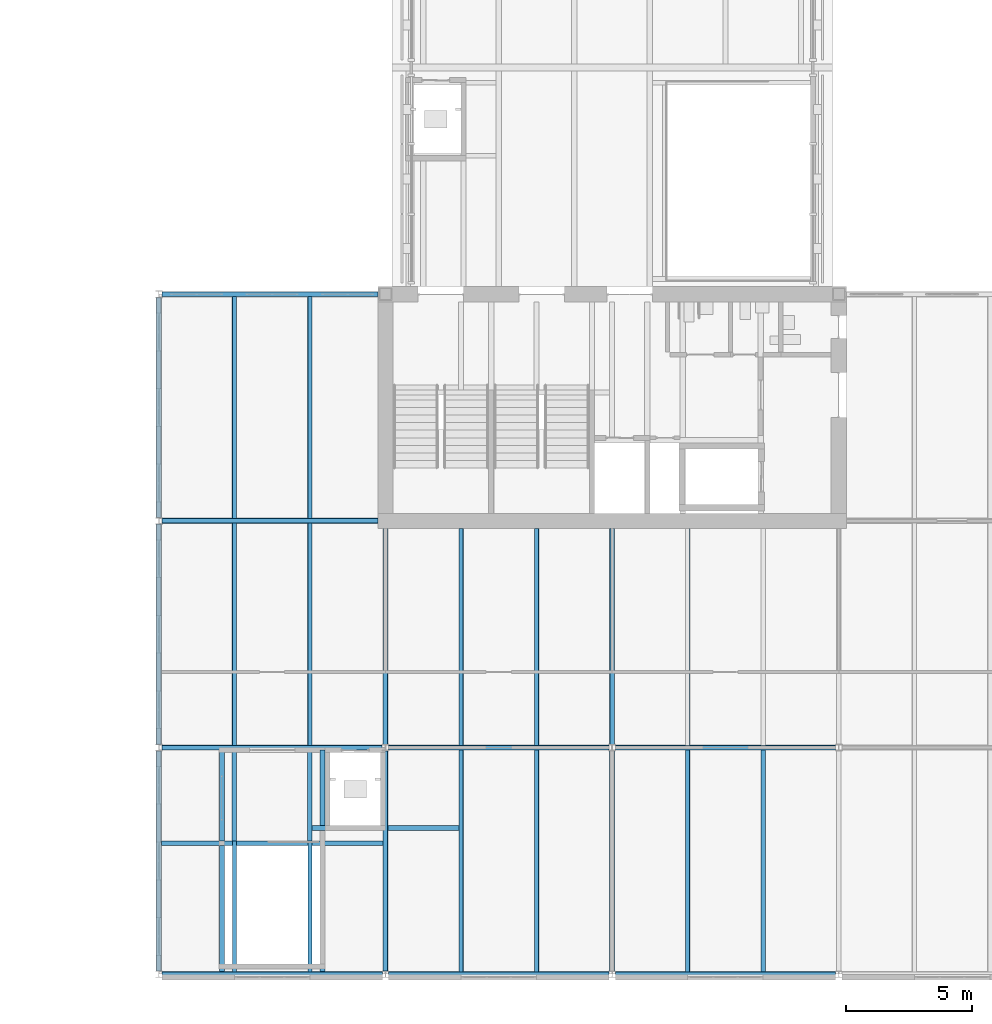
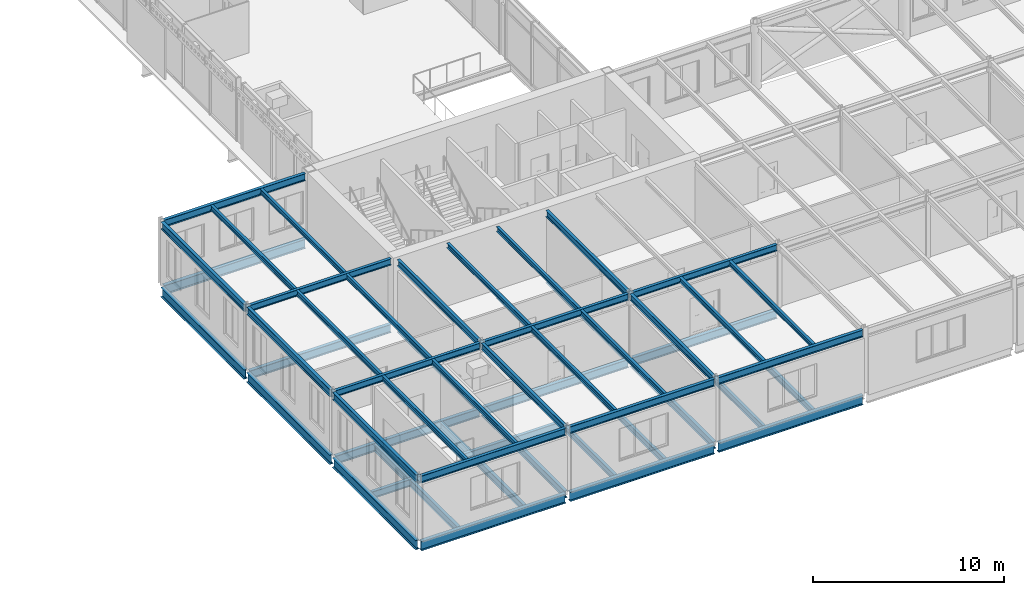
# One storey, part 22 of 123: 62 beams.
"""IFC4 building model written with IfcOpenShell, lengths in metres."""

import ifcopenshell
import ifcopenshell.guid

model = None  # the IFC model being written
_history = None  # IfcOwnerHistory: only IFC2X3 demands one
_inside = {}  # id of a spatial element -> (the spatial element, [elements in it])
_under = {}  # id of a project, library or spatial element -> (it, [spatial elements below it])
_declared = {}  # id of a project -> (the project, [libraries it declares])
_typed = {}  # id of a type object -> (the type object, [elements of that type])
_made_of = {}  # id of a material, layer set ... -> (it, [elements and type objects made of it])


def new_model(schema):
    """Start an empty IFC model of exactly this schema.

    Asked for "IFC4X3", IfcOpenShell would pick the latest addendum, in which some entities
    have other attributes; the version numbers below select the first issue.
    IFC2X3 requires an IfcOwnerHistory on every rooted entity: one is made here for all.
    """
    global model, _history
    if schema == "IFC4X3":
        model = ifcopenshell.file(schema_version=(4, 3, 0, 0))
    else:
        model = ifcopenshell.file(schema=schema)
    _inside.clear()
    _under.clear()
    _declared.clear()
    _typed.clear()
    _made_of.clear()
    _history = None
    if model.schema == "IFC2X3":
        org = make("IfcOrganization", Name="unknown")
        user = make(
            "IfcPersonAndOrganization",
            ThePerson=make("IfcPerson", FamilyName="unknown"),
            TheOrganization=org,
        )
        app = make(
            "IfcApplication",
            ApplicationDeveloper=org,
            Version="unknown",
            ApplicationFullName="unknown",
            ApplicationIdentifier="unknown",
        )
        _history = make(
            "IfcOwnerHistory",
            OwningUser=user,
            OwningApplication=app,
            ChangeAction="ADDED",
            CreationDate=0,
        )
    return model


def make(cls, **values):
    """One entity of the class cls with the attributes given. An attribute that is None is left unset."""
    return model.create_entity(
        cls, **{name: value for name, value in values.items() if value is not None}
    )


def rooted(cls, **values):
    """An entity with a GlobalId (a new one), such as an element, a storey or a relation."""
    return make(cls, GlobalId=ifcopenshell.guid.new(), OwnerHistory=_history, **values)


def si_unit(unit_type, name, prefix=None):
    """IfcSIUnit, for example si_unit("LENGTHUNIT", "METRE", prefix="MILLI")."""
    return make("IfcSIUnit", UnitType=unit_type, Prefix=prefix, Name=name)


def assignment(units):
    """IfcUnitAssignment: the units of a project."""
    return None if units is None else make("IfcUnitAssignment", Units=units)


def point(xyz):
    """IfcCartesianPoint."""
    return None if xyz is None else make("IfcCartesianPoint", Coordinates=xyz)


def direction(xyz):
    """IfcDirection."""
    return None if xyz is None else make("IfcDirection", DirectionRatios=xyz)


def frame(location, z_axis=None, x_axis=None):
    """IfcAxis2Placement3D, a coordinate frame: its origin and axes. An axis left out is left unset."""
    return make(
        "IfcAxis2Placement3D",
        Location=point(location),
        Axis=direction(z_axis),
        RefDirection=direction(x_axis),
    )


def frame_2d(location, x_axis=None):
    """IfcAxis2Placement2D, a coordinate frame in the plane: its origin and x axis."""
    return make(
        "IfcAxis2Placement2D", Location=point(location), RefDirection=direction(x_axis)
    )


def origin():
    """The frame at (0, 0, 0) with its axes left unset."""
    return frame((0.0, 0.0, 0.0))


def origin_2d():
    """The frame at (0, 0) in the plane with its x axis left unset."""
    return frame_2d((0.0, 0.0))


def place(relative_to, where):
    """IfcLocalPlacement: puts the frame where relative to a parent placement (None: the world)."""
    return make(
        "IfcLocalPlacement", PlacementRelTo=relative_to, RelativePlacement=where
    )


def context(
    kind, dimensions, precision=None, world=None, true_north=None, identifier=None
):
    """IfcGeometricRepresentationContext, for example the 3D "Model" context."""
    return make(
        "IfcGeometricRepresentationContext",
        ContextIdentifier=identifier,
        ContextType=kind,
        CoordinateSpaceDimension=dimensions,
        Precision=precision,
        WorldCoordinateSystem=world,
        TrueNorth=true_north,
    )


def subcontext(parent, identifier, kind, view, scale=None):
    """IfcGeometricRepresentationSubContext, for example "Body" below "Model"."""
    return make(
        "IfcGeometricRepresentationSubContext",
        ContextIdentifier=identifier,
        ContextType=kind,
        ParentContext=parent,
        TargetScale=scale,
        TargetView=view,
    )


def project(units=None, contexts=None):
    """IfcProject with its units and contexts."""
    return rooted(
        "IfcProject",
        Name="project",
        RepresentationContexts=contexts,
        UnitsInContext=assignment(units),
    )


def spatial(cls, under=None, at=None, **own):
    """A site, building, storey or space (cls), placed at a placement, below another one or the project."""
    s = rooted(cls, ObjectPlacement=at, **own)
    if under is not None:
        _under.setdefault(under.id(), (under, []))[1].append(s)
    return s


def profile(cls, at=None, kind="AREA", **sizes):
    """A parametric profile (cls). Its sizes go by their IFC names, for example OverallWidth=200.0."""
    return make(cls, ProfileType=kind, Position=at, **sizes)


def i_section(**sizes):
    """IfcIShapeProfileDef."""
    return profile("IfcIShapeProfileDef", **sizes)


def extrude(swept, where, along, depth):
    """IfcExtrudedAreaSolid: the profile swept, set in the frame where, extruded along a direction by depth."""
    return make(
        "IfcExtrudedAreaSolid",
        SweptArea=swept,
        Position=where,
        ExtrudedDirection=direction(along),
        Depth=depth,
    )


def shape(context_of_items, identifier, shape_type, items):
    """IfcShapeRepresentation: the items that make up one representation, for example the "Body"."""
    return make(
        "IfcShapeRepresentation",
        ContextOfItems=context_of_items,
        RepresentationIdentifier=identifier,
        RepresentationType=shape_type,
        Items=items,
    )


def material(Name=None, Category=None):
    """IfcMaterial."""
    return make("IfcMaterial", Name=Name, Category=Category)


def material_profile(
    of_material, cross_section, Name=None, Category=None, Priority=None
):
    """IfcMaterialProfile: a cross section and its material."""
    return make(
        "IfcMaterialProfile",
        Name=Name,
        Material=of_material,
        Profile=cross_section,
        Priority=Priority,
        Category=Category,
    )


def profile_set(profiles, Name=None, composite=None):
    """IfcMaterialProfileSet."""
    return make(
        "IfcMaterialProfileSet",
        Name=Name,
        MaterialProfiles=profiles,
        CompositeProfile=composite,
    )


def made_of(thing, what):
    """Note that an element or type object is made of a material, layer set ...; save() writes the relation."""
    if what is not None:
        _made_of.setdefault(what.id(), (what, []))[1].append(thing)
    return thing


def type_object(cls, material=None, **own):
    """A type object (cls), such as IfcWallType, which elements share."""
    return made_of(rooted(cls, **own), material)


def element(
    cls,
    number,
    at=None,
    inside=None,
    cuts=None,
    type_object=None,
    material=None,
    context=None,
    identifier="Body",
    shape_type=None,
    held_by="IfcProductDefinitionShape",
    body=None,
    shapes=None,
    **own,
):
    """One element of the class cls, such as IfcWall. Its Tag is "e" and its number.

    at: its placement. inside: the storey or other place that contains it. cuts: it is an
    opening in that element (IfcRelVoidsElement). A single representation is given by context,
    identifier, shape_type and body (its items); several are given by shapes. held_by: the class
    of the entity that holds the representations. save() writes the other relations.
    """
    e = rooted(cls, Tag="e%d" % number, ObjectPlacement=at, **own)
    if body is not None:
        shapes = [shape(context, identifier, shape_type, body)]
    if shapes is not None:
        e.Representation = make(held_by, Representations=shapes)
    if inside is not None:
        _inside.setdefault(inside.id(), (inside, []))[1].append(e)
    if cuts is not None:
        rooted(
            "IfcRelVoidsElement", RelatingBuildingElement=cuts, RelatedOpeningElement=e
        )
    if type_object is not None:
        _typed.setdefault(type_object.id(), (type_object, []))[1].append(e)
    return made_of(e, material)


def aggregate(whole, parts):
    """IfcRelAggregates: a whole, such as a stair, and the parts it consists of."""
    return rooted("IfcRelAggregates", RelatingObject=whole, RelatedObjects=parts)


def save(model, path):
    """Write the relations noted so far, then the file.

    IfcRelAggregates (storeys below a building ...), IfcRelContainedInSpatialStructure (elements
    in a storey), IfcRelDefinesByType, IfcRelAssociatesMaterial and IfcRelDeclares: one each for
    every whole, place, type object, material and project.
    """
    for whole, parts in _under.values():
        aggregate(whole, parts)
    for where, things in _inside.values():
        rooted(
            "IfcRelContainedInSpatialStructure",
            RelatedElements=things,
            RelatingStructure=where,
        )
    for kind, things in _typed.values():
        rooted("IfcRelDefinesByType", RelatedObjects=things, RelatingType=kind)
    for what, things in _made_of.values():
        rooted("IfcRelAssociatesMaterial", RelatedObjects=things, RelatingMaterial=what)
    for by, libraries in _declared.values():
        rooted("IfcRelDeclares", RelatingContext=by, RelatedDefinitions=libraries)
    model.write(path)


model = new_model("IFC4")

# Units and contexts
model_context = context("Model", 3, precision=1e-05, world=origin(), true_north=direction((0.0, 1.0)))
body_context = subcontext(model_context, "Body", "Model", "MODEL_VIEW")
ifc_project = project(units=[si_unit("LENGTHUNIT", "METRE"), si_unit("AREAUNIT", "SQUARE_METRE"), si_unit("VOLUMEUNIT", "CUBIC_METRE"), si_unit("PLANEANGLEUNIT", "RADIAN"), si_unit("MASSUNIT", "GRAM", prefix="KILO")], contexts=[model_context])

# Site, building, storey
site_placement = place(None, origin())
site = spatial("IfcSite", under=ifc_project, at=site_placement, CompositionType="ELEMENT")
building_placement = place(site_placement, origin())
building = spatial("IfcBuilding", under=site, at=building_placement, Name="Baradari Gate Terminus", CompositionType="ELEMENT")
storey_placement = place(building_placement, frame((0.0, 0.0, 7.5)))
storey = spatial("IfcBuildingStorey", under=building, at=storey_placement, Name="L01", CompositionType="ELEMENT", Elevation=7.5)

# Beams
ifc_material_1 = material(Name="Steel S355", Category="steel")
ifc_material_profile_1 = material_profile(ifc_material_1, i_section(OverallWidth=0.19140625, OverallDepth=0.4599609375, WebThickness=0.010009765625, FlangeThickness=0.01611328125, FilletRadius=0.01025390625, at=origin_2d()), Name="UB 457x191x82")
ifc_profile_set_1 = profile_set([ifc_material_profile_1], Name="Steel S355")
beam_type_1 = type_object("IfcBeamType", Name="South wing cross girder B18 UB 457x191x82", PredefinedType="BEAM", material=ifc_profile_set_1)
beam_1_placement = place(storey_placement, frame((72.0, 9.127197265625, -0.360107421875), z_axis=(0.0, 1.0, 0.0), x_axis=(-1.0, 0.0, 0.0)))
element("IfcBeam", 1, at=beam_1_placement, inside=storey, type_object=beam_type_1, Name="South wing cross girder B18 9:9.127-17.87 L01", PredefinedType="BEAM", context=body_context, shape_type="SweptSolid", body=[
    extrude(i_section(OverallWidth=0.19140625, OverallDepth=0.4599609375, WebThickness=0.010009765625, FlangeThickness=0.01611328125, FilletRadius=0.01025390625, at=origin_2d()), origin(), (0.0, 0.0, 1.0), 8.74267578125),
])
beam_2_placement = place(storey_placement, frame((72.0, 18.130126953125, -0.360107421875), z_axis=(0.0, 1.0, 0.0), x_axis=(-1.0, 0.0, 0.0)))
element("IfcBeam", 2, at=beam_2_placement, inside=storey, type_object=beam_type_1, Name="South wing cross girder B18 9:18.13-26.7 L01", PredefinedType="BEAM", context=body_context, shape_type="SweptSolid", body=[
    extrude(i_section(OverallWidth=0.19140625, OverallDepth=0.4599609375, WebThickness=0.010009765625, FlangeThickness=0.01611328125, FilletRadius=0.01025390625, at=origin_2d()), origin(), (0.0, 0.0, 1.0), 8.56982421875),
])
beam_3_placement = place(storey_placement, frame((81.0, 9.127197265625, -0.360107421875), z_axis=(0.0, 1.0, 0.0), x_axis=(-1.0, 0.0, 0.0)))
element("IfcBeam", 3, at=beam_3_placement, inside=storey, type_object=beam_type_1, Name="South wing cross girder B18 10:9.127-17.87 L01", PredefinedType="BEAM", context=body_context, shape_type="SweptSolid", body=[
    extrude(i_section(OverallWidth=0.19140625, OverallDepth=0.4599609375, WebThickness=0.010009765625, FlangeThickness=0.01611328125, FilletRadius=0.01025390625, at=origin_2d()), origin(), (0.0, 0.0, 1.0), 8.74267578125),
])
beam_4_placement = place(storey_placement, frame((81.0, 18.130126953125, -0.360107421875), z_axis=(0.0, 1.0, 0.0), x_axis=(-1.0, 0.0, 0.0)))
element("IfcBeam", 4, at=beam_4_placement, inside=storey, type_object=beam_type_1, Name="South wing cross girder B18 10:18.13-26.7 L01", PredefinedType="BEAM", context=body_context, shape_type="SweptSolid", body=[
    extrude(i_section(OverallWidth=0.19140625, OverallDepth=0.4599609375, WebThickness=0.010009765625, FlangeThickness=0.01611328125, FilletRadius=0.01025390625, at=origin_2d()), origin(), (0.0, 0.0, 1.0), 8.56982421875),
])
ifc_material_2 = material(Name="Steel S355", Category="steel")
ifc_material_profile_2 = material_profile(ifc_material_2, i_section(OverallWidth=0.2275390625, OverallDepth=0.6025390625, WebThickness=0.010498046875, FlangeThickness=0.014892578125, FilletRadius=0.0126953125, at=origin_2d()), Name="UB 610x229x101")
ifc_profile_set_2 = profile_set([ifc_material_profile_2], Name="Steel S355")
beam_type_2 = type_object("IfcBeamType", Name="South wing edge girder B14 UB 610x229x101", PredefinedType="BEAM", material=ifc_profile_set_2)
for number, where, z_axis, x_axis, name in (
    (5, (63.127197265625, 9.0, -0.431396484375), (1.0, 0.0, 0.0), (0.0, 1.0, 0.0), "South wing edge girder B14 B:63.127-71.873 L01"),
    (6, (72.127197265625, 9.0, -0.431396484375), (1.0, 0.0, 0.0), (0.0, 1.0, 0.0), "South wing edge girder B14 B:72.127-80.873 L01"),
    (7, (81.127197265625, 9.0, -0.431396484375), (1.0, 0.0, 0.0), (0.0, 1.0, 0.0), "South wing edge girder B14 B:81.127-89.873 L01"),
):
    element("IfcBeam", number, at=place(storey_placement, frame(where, z_axis=z_axis, x_axis=x_axis)), inside=storey, type_object=beam_type_2, Name=name, PredefinedType="BEAM", context=body_context, shape_type="SweptSolid", body=[
        extrude(i_section(OverallWidth=0.2275390625, OverallDepth=0.6025390625, WebThickness=0.010498046875, FlangeThickness=0.014892578125, FilletRadius=0.0126953125, at=origin_2d()), origin(), (0.0, 0.0, 1.0), 8.74560546875),
    ])
beam_5_placement = place(storey_placement, frame((63.128173828125, 36.0, -0.431396484375), z_axis=(1.0, 0.0, 0.0), x_axis=(0.0, 1.0, 0.0)))
element("IfcBeam", 8, at=beam_5_placement, inside=storey, type_object=beam_type_2, Name="South wing edge girder B14 E:63.128-71.7 L01", PredefinedType="BEAM", context=body_context, shape_type="SweptSolid", body=[
    extrude(i_section(OverallWidth=0.2275390625, OverallDepth=0.6025390625, WebThickness=0.010498046875, FlangeThickness=0.014892578125, FilletRadius=0.0126953125, at=origin_2d()), origin(), (0.0, 0.0, 1.0), 8.57177734375),
])
beam_6_placement = place(storey_placement, frame((63.0, 9.127197265625, -0.431396484375), z_axis=(0.0, 1.0, 0.0), x_axis=(-1.0, 0.0, 0.0)))
element("IfcBeam", 9, at=beam_6_placement, inside=storey, type_object=beam_type_2, Name="South wing edge girder B14 8:9.127-17.87 L01", PredefinedType="BEAM", context=body_context, shape_type="SweptSolid", body=[
    extrude(i_section(OverallWidth=0.2275390625, OverallDepth=0.6025390625, WebThickness=0.010498046875, FlangeThickness=0.014892578125, FilletRadius=0.0126953125, at=origin_2d()), origin(), (0.0, 0.0, 1.0), 8.74267578125),
])
for number, where, z_axis, x_axis, name in (
    (10, (63.0, 18.130126953125, -0.431396484375), (0.0, 1.0, 0.0), (-1.0, 0.0, 0.0), "South wing edge girder B14 8:18.13-26.87 L01"),
    (11, (63.0, 27.130126953125, -0.431396484375), (0.0, 1.0, 0.0), (-1.0, 0.0, 0.0), "South wing edge girder B14 8:27.13-35.87 L01"),
):
    element("IfcBeam", number, at=place(storey_placement, frame(where, z_axis=z_axis, x_axis=x_axis)), inside=storey, type_object=beam_type_2, Name=name, PredefinedType="BEAM", context=body_context, shape_type="SweptSolid", body=[
        extrude(i_section(OverallWidth=0.2275390625, OverallDepth=0.6025390625, WebThickness=0.010498046875, FlangeThickness=0.014892578125, FilletRadius=0.0126953125, at=origin_2d()), origin(), (0.0, 0.0, 1.0), 8.73974609375),
    ])
ifc_material_3 = material(Name="Steel S355", Category="steel")
ifc_material_profile_3 = material_profile(ifc_material_3, i_section(OverallWidth=0.210693359375, OverallDepth=0.53955078125, WebThickness=0.01171875, FlangeThickness=0.018798828125, FilletRadius=0.0126953125, at=origin_2d()), Name="UB 533x210x109")
ifc_profile_set_3 = profile_set([ifc_material_profile_3], Name="Steel S355")
beam_type_3 = type_object("IfcBeamType", Name="South wing girder B16 UB 533x210x109", PredefinedType="BEAM", material=ifc_profile_set_3)
for number, where, z_axis, x_axis, name in (
    (12, (63.128173828125, 18.0, -0.399658203125), (1.0, 0.0, 0.0), (0.0, 1.0, 0.0), "South wing girder B16 C:63.128-71.872 L01"),
    (13, (72.128173828125, 18.0, -0.399658203125), (1.0, 0.0, 0.0), (0.0, 1.0, 0.0), "South wing girder B16 C:72.128-80.872 L01"),
    (14, (81.128173828125, 18.0, -0.399658203125), (1.0, 0.0, 0.0), (0.0, 1.0, 0.0), "South wing girder B16 C:81.128-89.872 L01"),
):
    element("IfcBeam", number, at=place(storey_placement, frame(where, z_axis=z_axis, x_axis=x_axis)), inside=storey, type_object=beam_type_3, Name=name, PredefinedType="BEAM", context=body_context, shape_type="SweptSolid", body=[
        extrude(i_section(OverallWidth=0.210693359375, OverallDepth=0.53955078125, WebThickness=0.01171875, FlangeThickness=0.018798828125, FilletRadius=0.0126953125, at=origin_2d()), origin(), (0.0, 0.0, 1.0), 8.74365234375),
    ])
beam_7_placement = place(storey_placement, frame((63.128173828125, 27.0, -0.399658203125), z_axis=(1.0, 0.0, 0.0), x_axis=(0.0, 1.0, 0.0)))
element("IfcBeam", 15, at=beam_7_placement, inside=storey, type_object=beam_type_3, Name="South wing girder B16 D:63.128-71.7 L01", PredefinedType="BEAM", context=body_context, shape_type="SweptSolid", body=[
    extrude(i_section(OverallWidth=0.210693359375, OverallDepth=0.53955078125, WebThickness=0.01171875, FlangeThickness=0.018798828125, FilletRadius=0.0126953125, at=origin_2d()), origin(), (0.0, 0.0, 1.0), 8.57177734375),
])
ifc_material_4 = material(Name="Steel S355", Category="steel")
ifc_material_profile_4 = material_profile(ifc_material_4, i_section(OverallWidth=0.18994140625, OverallDepth=0.453369140625, WebThickness=0.008544921875, FlangeThickness=0.0126953125, FilletRadius=0.01025390625, at=origin_2d()), Name="UB 457x191x67")
ifc_profile_set_4 = profile_set([ifc_material_profile_4], Name="Steel S355")
beam_type_4 = type_object("IfcBeamType", Name="South wing roof edge girder B53 UB 457x191x67", PredefinedType="BEAM", material=ifc_profile_set_4)
for number, where, z_axis, x_axis, name in (
    (16, (63.127197265625, 9.0, 3.8232421875), (1.0, 0.0, 0.0), (0.0, 1.0, 0.0), "South wing roof edge girder B53 B:63.127-71.873 L01"),
    (17, (72.127197265625, 9.0, 3.8232421875), (1.0, 0.0, 0.0), (0.0, 1.0, 0.0), "South wing roof edge girder B53 B:72.127-80.873 L01"),
    (18, (81.127197265625, 9.0, 3.8232421875), (1.0, 0.0, 0.0), (0.0, 1.0, 0.0), "South wing roof edge girder B53 B:81.127-89.873 L01"),
):
    element("IfcBeam", number, at=place(storey_placement, frame(where, z_axis=z_axis, x_axis=x_axis)), inside=storey, type_object=beam_type_4, Name=name, PredefinedType="BEAM", context=body_context, shape_type="SweptSolid", body=[
        extrude(i_section(OverallWidth=0.18994140625, OverallDepth=0.453369140625, WebThickness=0.008544921875, FlangeThickness=0.0126953125, FilletRadius=0.01025390625, at=origin_2d()), origin(), (0.0, 0.0, 1.0), 8.74560546875),
    ])
beam_8_placement = place(storey_placement, frame((63.128173828125, 36.0, 3.8232421875), z_axis=(1.0, 0.0, 0.0), x_axis=(0.0, 1.0, 0.0)))
element("IfcBeam", 19, at=beam_8_placement, inside=storey, type_object=beam_type_4, Name="South wing roof edge girder B53 E:63.128-71.7 L01", PredefinedType="BEAM", context=body_context, shape_type="SweptSolid", body=[
    extrude(i_section(OverallWidth=0.18994140625, OverallDepth=0.453369140625, WebThickness=0.008544921875, FlangeThickness=0.0126953125, FilletRadius=0.01025390625, at=origin_2d()), origin(), (0.0, 0.0, 1.0), 8.57177734375),
])
beam_9_placement = place(storey_placement, frame((63.0, 9.127197265625, 3.8232421875), z_axis=(0.0, 1.0, 0.0), x_axis=(-1.0, 0.0, 0.0)))
element("IfcBeam", 20, at=beam_9_placement, inside=storey, type_object=beam_type_4, Name="South wing roof edge girder B53 8:9.127-17.87 L01", PredefinedType="BEAM", context=body_context, shape_type="SweptSolid", body=[
    extrude(i_section(OverallWidth=0.18994140625, OverallDepth=0.453369140625, WebThickness=0.008544921875, FlangeThickness=0.0126953125, FilletRadius=0.01025390625, at=origin_2d()), origin(), (0.0, 0.0, 1.0), 8.74267578125),
])
for number, where, z_axis, x_axis, name in (
    (21, (63.0, 18.130126953125, 3.8232421875), (0.0, 1.0, 0.0), (-1.0, 0.0, 0.0), "South wing roof edge girder B53 8:18.13-26.87 L01"),
    (22, (63.0, 27.130126953125, 3.8232421875), (0.0, 1.0, 0.0), (-1.0, 0.0, 0.0), "South wing roof edge girder B53 8:27.13-35.87 L01"),
):
    element("IfcBeam", number, at=place(storey_placement, frame(where, z_axis=z_axis, x_axis=x_axis)), inside=storey, type_object=beam_type_4, Name=name, PredefinedType="BEAM", context=body_context, shape_type="SweptSolid", body=[
        extrude(i_section(OverallWidth=0.18994140625, OverallDepth=0.453369140625, WebThickness=0.008544921875, FlangeThickness=0.0126953125, FilletRadius=0.01025390625, at=origin_2d()), origin(), (0.0, 0.0, 1.0), 8.73974609375),
    ])
ifc_material_5 = material(Name="Steel S355", Category="steel")
ifc_material_profile_5 = material_profile(ifc_material_5, i_section(OverallWidth=0.177978515625, OverallDepth=0.406494140625, WebThickness=0.0078125, FlangeThickness=0.0126953125, FilletRadius=0.01025390625, at=origin_2d()), Name="UB 406x178x60")
ifc_profile_set_5 = profile_set([ifc_material_profile_5], Name="Steel S355")
beam_type_5 = type_object("IfcBeamType", Name="South wing roof girder B54 UB 406x178x60", PredefinedType="BEAM", material=ifc_profile_set_5)
for number, where, z_axis, x_axis, name in (
    (23, (63.128173828125, 18.0, 3.8466796875), (1.0, 0.0, 0.0), (0.0, 1.0, 0.0), "South wing roof girder B54 C:63.128-71.872 L01"),
    (24, (72.128173828125, 18.0, 3.8466796875), (1.0, 0.0, 0.0), (0.0, 1.0, 0.0), "South wing roof girder B54 C:72.128-80.872 L01"),
    (25, (81.128173828125, 18.0, 3.8466796875), (1.0, 0.0, 0.0), (0.0, 1.0, 0.0), "South wing roof girder B54 C:81.128-89.872 L01"),
):
    element("IfcBeam", number, at=place(storey_placement, frame(where, z_axis=z_axis, x_axis=x_axis)), inside=storey, type_object=beam_type_5, Name=name, PredefinedType="BEAM", context=body_context, shape_type="SweptSolid", body=[
        extrude(i_section(OverallWidth=0.177978515625, OverallDepth=0.406494140625, WebThickness=0.0078125, FlangeThickness=0.0126953125, FilletRadius=0.01025390625, at=origin_2d()), origin(), (0.0, 0.0, 1.0), 8.74365234375),
    ])
beam_10_placement = place(storey_placement, frame((63.128173828125, 27.0, 3.8466796875), z_axis=(1.0, 0.0, 0.0), x_axis=(0.0, 1.0, 0.0)))
element("IfcBeam", 26, at=beam_10_placement, inside=storey, type_object=beam_type_5, Name="South wing roof girder B54 D:63.128-71.7 L01", PredefinedType="BEAM", context=body_context, shape_type="SweptSolid", body=[
    extrude(i_section(OverallWidth=0.177978515625, OverallDepth=0.406494140625, WebThickness=0.0078125, FlangeThickness=0.0126953125, FilletRadius=0.01025390625, at=origin_2d()), origin(), (0.0, 0.0, 1.0), 8.57177734375),
])
beam_11_placement = place(storey_placement, frame((72.0, 9.127197265625, 3.8466796875), z_axis=(0.0, 1.0, 0.0), x_axis=(-1.0, 0.0, 0.0)))
element("IfcBeam", 27, at=beam_11_placement, inside=storey, type_object=beam_type_5, Name="South wing roof girder B54 9:9.127-17.87 L01", PredefinedType="BEAM", context=body_context, shape_type="SweptSolid", body=[
    extrude(i_section(OverallWidth=0.177978515625, OverallDepth=0.406494140625, WebThickness=0.0078125, FlangeThickness=0.0126953125, FilletRadius=0.01025390625, at=origin_2d()), origin(), (0.0, 0.0, 1.0), 8.74267578125),
])
beam_12_placement = place(storey_placement, frame((72.0, 18.130126953125, 3.8466796875), z_axis=(0.0, 1.0, 0.0), x_axis=(-1.0, 0.0, 0.0)))
element("IfcBeam", 28, at=beam_12_placement, inside=storey, type_object=beam_type_5, Name="South wing roof girder B54 9:18.13-26.7 L01", PredefinedType="BEAM", context=body_context, shape_type="SweptSolid", body=[
    extrude(i_section(OverallWidth=0.177978515625, OverallDepth=0.406494140625, WebThickness=0.0078125, FlangeThickness=0.0126953125, FilletRadius=0.01025390625, at=origin_2d()), origin(), (0.0, 0.0, 1.0), 8.56982421875),
])
beam_13_placement = place(storey_placement, frame((81.0, 9.127197265625, 3.8466796875), z_axis=(0.0, 1.0, 0.0), x_axis=(-1.0, 0.0, 0.0)))
element("IfcBeam", 29, at=beam_13_placement, inside=storey, type_object=beam_type_5, Name="South wing roof girder B54 10:9.127-17.87 L01", PredefinedType="BEAM", context=body_context, shape_type="SweptSolid", body=[
    extrude(i_section(OverallWidth=0.177978515625, OverallDepth=0.406494140625, WebThickness=0.0078125, FlangeThickness=0.0126953125, FilletRadius=0.01025390625, at=origin_2d()), origin(), (0.0, 0.0, 1.0), 8.74267578125),
])
beam_14_placement = place(storey_placement, frame((81.0, 18.130126953125, 3.8466796875), z_axis=(0.0, 1.0, 0.0), x_axis=(-1.0, 0.0, 0.0)))
element("IfcBeam", 30, at=beam_14_placement, inside=storey, type_object=beam_type_5, Name="South wing roof girder B54 10:18.13-26.7 L01", PredefinedType="BEAM", context=body_context, shape_type="SweptSolid", body=[
    extrude(i_section(OverallWidth=0.177978515625, OverallDepth=0.406494140625, WebThickness=0.0078125, FlangeThickness=0.0126953125, FilletRadius=0.01025390625, at=origin_2d()), origin(), (0.0, 0.0, 1.0), 8.56982421875),
])
ifc_material_6 = material(Name="Steel S355", Category="steel")
ifc_material_profile_6 = material_profile(ifc_material_6, i_section(OverallWidth=0.1650390625, OverallDepth=0.303466796875, WebThickness=0.006103515625, FlangeThickness=0.01025390625, FilletRadius=0.0087890625, at=origin_2d()), Name="UB 305x165x40")
ifc_profile_set_6 = profile_set([ifc_material_profile_6], Name="Steel S355")
beam_type_6 = type_object("IfcBeamType", Name="South wing roof secondary beam B55 UB 305x165x40", PredefinedType="BEAM", material=ifc_profile_set_6)
beam_15_placement = place(storey_placement, frame((66.0, 9.094970703125, 3.898193359375), z_axis=(0.0, 1.0, 0.0), x_axis=(-1.0, 0.0, 0.0)))
element("IfcBeam", 31, at=beam_15_placement, inside=storey, type_object=beam_type_6, Name="South wing roof secondary beam B55 66:9.095-17.911 L01", PredefinedType="BEAM", context=body_context, shape_type="SweptSolid", body=[
    extrude(i_section(OverallWidth=0.1650390625, OverallDepth=0.303466796875, WebThickness=0.006103515625, FlangeThickness=0.01025390625, FilletRadius=0.0087890625, at=origin_2d()), origin(), (0.0, 0.0, 1.0), 8.81591796875),
])
beam_16_placement = place(storey_placement, frame((66.0, 18.089111328125, 3.898193359375), z_axis=(0.0, 1.0, 0.0), x_axis=(-1.0, 0.0, 0.0)))
element("IfcBeam", 32, at=beam_16_placement, inside=storey, type_object=beam_type_6, Name="South wing roof secondary beam B55 66:18.089-26.911 L01", PredefinedType="BEAM", context=body_context, shape_type="SweptSolid", body=[
    extrude(i_section(OverallWidth=0.1650390625, OverallDepth=0.303466796875, WebThickness=0.006103515625, FlangeThickness=0.01025390625, FilletRadius=0.0087890625, at=origin_2d()), origin(), (0.0, 0.0, 1.0), 8.82177734375),
])
for number, where, z_axis, x_axis, name in (
    (33, (66.0, 27.089111328125, 3.898193359375), (0.0, 1.0, 0.0), (-1.0, 0.0, 0.0), "South wing roof secondary beam B55 66:27.089-35.905 L01"),
    (34, (69.0, 9.094970703125, 3.898193359375), (0.0, 1.0, 0.0), (-1.0, 0.0, 0.0), "South wing roof secondary beam B55 69:9.095-17.911 L01"),
):
    element("IfcBeam", number, at=place(storey_placement, frame(where, z_axis=z_axis, x_axis=x_axis)), inside=storey, type_object=beam_type_6, Name=name, PredefinedType="BEAM", context=body_context, shape_type="SweptSolid", body=[
        extrude(i_section(OverallWidth=0.1650390625, OverallDepth=0.303466796875, WebThickness=0.006103515625, FlangeThickness=0.01025390625, FilletRadius=0.0087890625, at=origin_2d()), origin(), (0.0, 0.0, 1.0), 8.81591796875),
    ])
beam_17_placement = place(storey_placement, frame((69.0, 18.089111328125, 3.898193359375), z_axis=(0.0, 1.0, 0.0), x_axis=(-1.0, 0.0, 0.0)))
element("IfcBeam", 35, at=beam_17_placement, inside=storey, type_object=beam_type_6, Name="South wing roof secondary beam B55 69:18.089-26.911 L01", PredefinedType="BEAM", context=body_context, shape_type="SweptSolid", body=[
    extrude(i_section(OverallWidth=0.1650390625, OverallDepth=0.303466796875, WebThickness=0.006103515625, FlangeThickness=0.01025390625, FilletRadius=0.0087890625, at=origin_2d()), origin(), (0.0, 0.0, 1.0), 8.82177734375),
])
for number, where, z_axis, x_axis, name in (
    (36, (69.0, 27.089111328125, 3.898193359375), (0.0, 1.0, 0.0), (-1.0, 0.0, 0.0), "South wing roof secondary beam B55 69:27.089-35.905 L01"),
    (37, (75.0, 9.094970703125, 3.898193359375), (0.0, 1.0, 0.0), (-1.0, 0.0, 0.0), "South wing roof secondary beam B55 75:9.095-17.911 L01"),
):
    element("IfcBeam", number, at=place(storey_placement, frame(where, z_axis=z_axis, x_axis=x_axis)), inside=storey, type_object=beam_type_6, Name=name, PredefinedType="BEAM", context=body_context, shape_type="SweptSolid", body=[
        extrude(i_section(OverallWidth=0.1650390625, OverallDepth=0.303466796875, WebThickness=0.006103515625, FlangeThickness=0.01025390625, FilletRadius=0.0087890625, at=origin_2d()), origin(), (0.0, 0.0, 1.0), 8.81591796875),
    ])
beam_18_placement = place(storey_placement, frame((75.0, 18.089111328125, 3.898193359375), z_axis=(0.0, 1.0, 0.0), x_axis=(-1.0, 0.0, 0.0)))
element("IfcBeam", 38, at=beam_18_placement, inside=storey, type_object=beam_type_6, Name="South wing roof secondary beam B55 75:18.089-26.7 L01", PredefinedType="BEAM", context=body_context, shape_type="SweptSolid", body=[
    extrude(i_section(OverallWidth=0.1650390625, OverallDepth=0.303466796875, WebThickness=0.006103515625, FlangeThickness=0.01025390625, FilletRadius=0.0087890625, at=origin_2d()), origin(), (0.0, 0.0, 1.0), 8.61083984375),
])
beam_19_placement = place(storey_placement, frame((78.0, 9.094970703125, 3.898193359375), z_axis=(0.0, 1.0, 0.0), x_axis=(-1.0, 0.0, 0.0)))
element("IfcBeam", 39, at=beam_19_placement, inside=storey, type_object=beam_type_6, Name="South wing roof secondary beam B55 78:9.095-17.911 L01", PredefinedType="BEAM", context=body_context, shape_type="SweptSolid", body=[
    extrude(i_section(OverallWidth=0.1650390625, OverallDepth=0.303466796875, WebThickness=0.006103515625, FlangeThickness=0.01025390625, FilletRadius=0.0087890625, at=origin_2d()), origin(), (0.0, 0.0, 1.0), 8.81591796875),
])
beam_20_placement = place(storey_placement, frame((78.0, 18.089111328125, 3.898193359375), z_axis=(0.0, 1.0, 0.0), x_axis=(-1.0, 0.0, 0.0)))
element("IfcBeam", 40, at=beam_20_placement, inside=storey, type_object=beam_type_6, Name="South wing roof secondary beam B55 78:18.089-26.7 L01", PredefinedType="BEAM", context=body_context, shape_type="SweptSolid", body=[
    extrude(i_section(OverallWidth=0.1650390625, OverallDepth=0.303466796875, WebThickness=0.006103515625, FlangeThickness=0.01025390625, FilletRadius=0.0087890625, at=origin_2d()), origin(), (0.0, 0.0, 1.0), 8.61083984375),
])
for number, where, z_axis, x_axis, name in (
    (41, (84.0, 9.094970703125, 3.898193359375), (0.0, 1.0, 0.0), (-1.0, 0.0, 0.0), "South wing roof secondary beam B55 84:9.095-17.911 L01"),
    (42, (87.0, 9.094970703125, 3.898193359375), (0.0, 1.0, 0.0), (-1.0, 0.0, 0.0), "South wing roof secondary beam B55 87:9.095-17.911 L01"),
):
    element("IfcBeam", number, at=place(storey_placement, frame(where, z_axis=z_axis, x_axis=x_axis)), inside=storey, type_object=beam_type_6, Name=name, PredefinedType="BEAM", context=body_context, shape_type="SweptSolid", body=[
        extrude(i_section(OverallWidth=0.1650390625, OverallDepth=0.303466796875, WebThickness=0.006103515625, FlangeThickness=0.01025390625, FilletRadius=0.0087890625, at=origin_2d()), origin(), (0.0, 0.0, 1.0), 8.81591796875),
    ])
ifc_material_7 = material(Name="Steel S355", Category="steel")
ifc_material_profile_7 = material_profile(ifc_material_7, i_section(OverallWidth=0.177978515625, OverallDepth=0.406494140625, WebThickness=0.0078125, FlangeThickness=0.0126953125, FilletRadius=0.01025390625, at=origin_2d()), Name="UB 406x178x60")
ifc_profile_set_7 = profile_set([ifc_material_profile_7], Name="Steel S355")
beam_type_7 = type_object("IfcBeamType", Name="South wing secondary beam B17 UB 406x178x60", PredefinedType="BEAM", material=ifc_profile_set_7)
beam_21_placement = place(storey_placement, frame((66.0, 14.294921875, -0.333251953125), z_axis=(0.0, 1.0, 0.0), x_axis=(-1.0, 0.0, 0.0)))
element("IfcBeam", 43, at=beam_21_placement, inside=storey, type_object=beam_type_7, Name="South wing secondary beam B17 66:14.295-17.895 L01", PredefinedType="BEAM", context=body_context, shape_type="SweptSolid", body=[
    extrude(i_section(OverallWidth=0.177978515625, OverallDepth=0.406494140625, WebThickness=0.0078125, FlangeThickness=0.0126953125, FilletRadius=0.01025390625, at=origin_2d()), origin(), (0.0, 0.0, 1.0), 3.599609375),
])
beam_22_placement = place(storey_placement, frame((66.0, 18.10546875, -0.333251953125), z_axis=(0.0, 1.0, 0.0), x_axis=(-1.0, 0.0, 0.0)))
element("IfcBeam", 44, at=beam_22_placement, inside=storey, type_object=beam_type_7, Name="South wing secondary beam B17 66:18.105-26.895 L01", PredefinedType="BEAM", context=body_context, shape_type="SweptSolid", body=[
    extrude(i_section(OverallWidth=0.177978515625, OverallDepth=0.406494140625, WebThickness=0.0078125, FlangeThickness=0.0126953125, FilletRadius=0.01025390625, at=origin_2d()), origin(), (0.0, 0.0, 1.0), 8.7890625),
])
beam_23_placement = place(storey_placement, frame((66.0, 27.10546875, -0.333251953125), z_axis=(0.0, 1.0, 0.0), x_axis=(-1.0, 0.0, 0.0)))
element("IfcBeam", 45, at=beam_23_placement, inside=storey, type_object=beam_type_7, Name="South wing secondary beam B17 66:27.105-35.886 L01", PredefinedType="BEAM", context=body_context, shape_type="SweptSolid", body=[
    extrude(i_section(OverallWidth=0.177978515625, OverallDepth=0.406494140625, WebThickness=0.0078125, FlangeThickness=0.0126953125, FilletRadius=0.01025390625, at=origin_2d()), origin(), (0.0, 0.0, 1.0), 8.78076171875),
])
beam_24_placement = place(storey_placement, frame((69.0, 14.294921875, -0.333251953125), z_axis=(0.0, 1.0, 0.0), x_axis=(-1.0, 0.0, 0.0)))
element("IfcBeam", 46, at=beam_24_placement, inside=storey, type_object=beam_type_7, Name="South wing secondary beam B17 69:14.295-17.895 L01", PredefinedType="BEAM", context=body_context, shape_type="SweptSolid", body=[
    extrude(i_section(OverallWidth=0.177978515625, OverallDepth=0.406494140625, WebThickness=0.0078125, FlangeThickness=0.0126953125, FilletRadius=0.01025390625, at=origin_2d()), origin(), (0.0, 0.0, 1.0), 3.599609375),
])
beam_25_placement = place(storey_placement, frame((69.0, 18.10546875, -0.333251953125), z_axis=(0.0, 1.0, 0.0), x_axis=(-1.0, 0.0, 0.0)))
element("IfcBeam", 47, at=beam_25_placement, inside=storey, type_object=beam_type_7, Name="South wing secondary beam B17 69:18.105-26.895 L01", PredefinedType="BEAM", context=body_context, shape_type="SweptSolid", body=[
    extrude(i_section(OverallWidth=0.177978515625, OverallDepth=0.406494140625, WebThickness=0.0078125, FlangeThickness=0.0126953125, FilletRadius=0.01025390625, at=origin_2d()), origin(), (0.0, 0.0, 1.0), 8.7890625),
])
for number, where, z_axis, x_axis, name in (
    (48, (69.0, 27.10546875, -0.333251953125), (0.0, 1.0, 0.0), (-1.0, 0.0, 0.0), "South wing secondary beam B17 69:27.105-35.886 L01"),
    (49, (75.0, 9.11376953125, -0.333251953125), (0.0, 1.0, 0.0), (-1.0, 0.0, 0.0), "South wing secondary beam B17 75:9.114-17.895 L01"),
):
    element("IfcBeam", number, at=place(storey_placement, frame(where, z_axis=z_axis, x_axis=x_axis)), inside=storey, type_object=beam_type_7, Name=name, PredefinedType="BEAM", context=body_context, shape_type="SweptSolid", body=[
        extrude(i_section(OverallWidth=0.177978515625, OverallDepth=0.406494140625, WebThickness=0.0078125, FlangeThickness=0.0126953125, FilletRadius=0.01025390625, at=origin_2d()), origin(), (0.0, 0.0, 1.0), 8.78076171875),
    ])
beam_26_placement = place(storey_placement, frame((75.0, 18.10546875, -0.333251953125), z_axis=(0.0, 1.0, 0.0), x_axis=(-1.0, 0.0, 0.0)))
element("IfcBeam", 50, at=beam_26_placement, inside=storey, type_object=beam_type_7, Name="South wing secondary beam B17 75:18.105-26.7 L01", PredefinedType="BEAM", context=body_context, shape_type="SweptSolid", body=[
    extrude(i_section(OverallWidth=0.177978515625, OverallDepth=0.406494140625, WebThickness=0.0078125, FlangeThickness=0.0126953125, FilletRadius=0.01025390625, at=origin_2d()), origin(), (0.0, 0.0, 1.0), 8.594482421875),
])
beam_27_placement = place(storey_placement, frame((78.0, 9.11376953125, -0.333251953125), z_axis=(0.0, 1.0, 0.0), x_axis=(-1.0, 0.0, 0.0)))
element("IfcBeam", 51, at=beam_27_placement, inside=storey, type_object=beam_type_7, Name="South wing secondary beam B17 78:9.114-17.895 L01", PredefinedType="BEAM", context=body_context, shape_type="SweptSolid", body=[
    extrude(i_section(OverallWidth=0.177978515625, OverallDepth=0.406494140625, WebThickness=0.0078125, FlangeThickness=0.0126953125, FilletRadius=0.01025390625, at=origin_2d()), origin(), (0.0, 0.0, 1.0), 8.78076171875),
])
beam_28_placement = place(storey_placement, frame((78.0, 18.10546875, -0.333251953125), z_axis=(0.0, 1.0, 0.0), x_axis=(-1.0, 0.0, 0.0)))
element("IfcBeam", 52, at=beam_28_placement, inside=storey, type_object=beam_type_7, Name="South wing secondary beam B17 78:18.105-26.7 L01", PredefinedType="BEAM", context=body_context, shape_type="SweptSolid", body=[
    extrude(i_section(OverallWidth=0.177978515625, OverallDepth=0.406494140625, WebThickness=0.0078125, FlangeThickness=0.0126953125, FilletRadius=0.01025390625, at=origin_2d()), origin(), (0.0, 0.0, 1.0), 8.594482421875),
])
beam_29_placement = place(storey_placement, frame((84.0, 9.11376953125, -0.333251953125), z_axis=(0.0, 1.0, 0.0), x_axis=(-1.0, 0.0, 0.0)))
element("IfcBeam", 53, at=beam_29_placement, inside=storey, type_object=beam_type_7, Name="South wing secondary beam B17 84:9.114-17.895 L01", PredefinedType="BEAM", context=body_context, shape_type="SweptSolid", body=[
    extrude(i_section(OverallWidth=0.177978515625, OverallDepth=0.406494140625, WebThickness=0.0078125, FlangeThickness=0.0126953125, FilletRadius=0.01025390625, at=origin_2d()), origin(), (0.0, 0.0, 1.0), 8.78076171875),
])
beam_30_placement = place(storey_placement, frame((84.0, 18.10546875, -0.333251953125), z_axis=(0.0, 1.0, 0.0), x_axis=(-1.0, 0.0, 0.0)))
element("IfcBeam", 54, at=beam_30_placement, inside=storey, type_object=beam_type_7, Name="South wing secondary beam B17 84:18.105-26.7 L01", PredefinedType="BEAM", context=body_context, shape_type="SweptSolid", body=[
    extrude(i_section(OverallWidth=0.177978515625, OverallDepth=0.406494140625, WebThickness=0.0078125, FlangeThickness=0.0126953125, FilletRadius=0.01025390625, at=origin_2d()), origin(), (0.0, 0.0, 1.0), 8.594482421875),
])
beam_31_placement = place(storey_placement, frame((87.0, 9.11376953125, -0.333251953125), z_axis=(0.0, 1.0, 0.0), x_axis=(-1.0, 0.0, 0.0)))
element("IfcBeam", 55, at=beam_31_placement, inside=storey, type_object=beam_type_7, Name="South wing secondary beam B17 87:9.114-17.895 L01", PredefinedType="BEAM", context=body_context, shape_type="SweptSolid", body=[
    extrude(i_section(OverallWidth=0.177978515625, OverallDepth=0.406494140625, WebThickness=0.0078125, FlangeThickness=0.0126953125, FilletRadius=0.01025390625, at=origin_2d()), origin(), (0.0, 0.0, 1.0), 8.78076171875),
])
ifc_material_8 = material(Name="Steel S355", Category="steel")
ifc_material_profile_8 = material_profile(ifc_material_8, i_section(OverallWidth=0.18994140625, OverallDepth=0.453369140625, WebThickness=0.008544921875, FlangeThickness=0.0126953125, FilletRadius=0.01025390625, at=origin_2d()), Name="UB 457x191x67")
ifc_profile_set_8 = profile_set([ifc_material_profile_8], Name="Steel S355")
beam_type_8 = type_object("IfcBeamType", Name="South wing trimmer beam B15 UB 457x191x67", PredefinedType="BEAM", material=ifc_profile_set_8)
beam_32_placement = place(storey_placement, frame((63.11376953125, 14.199951171875, -0.356689453125), z_axis=(1.0, 0.0, 0.0), x_axis=(0.0, 1.0, 0.0)))
element("IfcBeam", 56, at=beam_32_placement, inside=storey, type_object=beam_type_8, Name="South wing trimmer beam B15 14.2:63.114-71.904 L01", PredefinedType="BEAM", context=body_context, shape_type="SweptSolid", body=[
    extrude(i_section(OverallWidth=0.18994140625, OverallDepth=0.453369140625, WebThickness=0.008544921875, FlangeThickness=0.0126953125, FilletRadius=0.01025390625, at=origin_2d()), origin(), (0.0, 0.0, 1.0), 8.79052734375),
])
beam_33_placement = place(storey_placement, frame((65.5048828125, 9.11376953125, -0.356689453125), z_axis=(0.0, 1.0, 0.0), x_axis=(-1.0, 0.0, 0.0)))
element("IfcBeam", 57, at=beam_33_placement, inside=storey, type_object=beam_type_8, Name="South wing trimmer beam B15 65.505:9.114-14.105 L01", PredefinedType="BEAM", context=body_context, shape_type="SweptSolid", body=[
    extrude(i_section(OverallWidth=0.18994140625, OverallDepth=0.453369140625, WebThickness=0.008544921875, FlangeThickness=0.0126953125, FilletRadius=0.01025390625, at=origin_2d()), origin(), (0.0, 0.0, 1.0), 4.9912109375),
])
beam_34_placement = place(storey_placement, frame((65.5048828125, 14.294921875, -0.356689453125), z_axis=(0.0, 1.0, 0.0), x_axis=(-1.0, 0.0, 0.0)))
element("IfcBeam", 58, at=beam_34_placement, inside=storey, type_object=beam_type_8, Name="South wing trimmer beam B15 65.505:14.295-17.895 L01", PredefinedType="BEAM", context=body_context, shape_type="SweptSolid", body=[
    extrude(i_section(OverallWidth=0.18994140625, OverallDepth=0.453369140625, WebThickness=0.008544921875, FlangeThickness=0.0126953125, FilletRadius=0.01025390625, at=origin_2d()), origin(), (0.0, 0.0, 1.0), 3.599609375),
])
beam_35_placement = place(storey_placement, frame((69.5, 9.11376953125, -0.356689453125), z_axis=(0.0, 1.0, 0.0), x_axis=(-1.0, 0.0, 0.0)))
element("IfcBeam", 59, at=beam_35_placement, inside=storey, type_object=beam_type_8, Name="South wing trimmer beam B15 69.5:9.114-14.105 L01", PredefinedType="BEAM", context=body_context, shape_type="SweptSolid", body=[
    extrude(i_section(OverallWidth=0.18994140625, OverallDepth=0.453369140625, WebThickness=0.008544921875, FlangeThickness=0.0126953125, FilletRadius=0.01025390625, at=origin_2d()), origin(), (0.0, 0.0, 1.0), 4.9912109375),
])
for number, where, z_axis, x_axis, name in (
    (60, (69.0888671875, 14.800048828125, -0.356689453125), (1.0, 0.0, 0.0), (0.0, 1.0, 0.0), "South wing trimmer beam B15 14.8:69.089-71.904 L01"),
    (61, (72.095703125, 14.800048828125, -0.356689453125), (1.0, 0.0, 0.0), (0.0, 1.0, 0.0), "South wing trimmer beam B15 14.8:72.096-74.911 L01"),
):
    element("IfcBeam", number, at=place(storey_placement, frame(where, z_axis=z_axis, x_axis=x_axis)), inside=storey, type_object=beam_type_8, Name=name, PredefinedType="BEAM", context=body_context, shape_type="SweptSolid", body=[
        extrude(i_section(OverallWidth=0.18994140625, OverallDepth=0.453369140625, WebThickness=0.008544921875, FlangeThickness=0.0126953125, FilletRadius=0.01025390625, at=origin_2d()), origin(), (0.0, 0.0, 1.0), 2.8154296875),
    ])
beam_36_placement = place(storey_placement, frame((69.5, 14.89501953125, -0.356689453125), z_axis=(0.0, 1.0, 0.0), x_axis=(-1.0, 0.0, 0.0)))
element("IfcBeam", 62, at=beam_36_placement, inside=storey, type_object=beam_type_8, Name="South wing trimmer beam B15 69.5:14.895-17.895 L01", PredefinedType="BEAM", context=body_context, shape_type="SweptSolid", body=[
    extrude(i_section(OverallWidth=0.18994140625, OverallDepth=0.453369140625, WebThickness=0.008544921875, FlangeThickness=0.0126953125, FilletRadius=0.01025390625, at=origin_2d()), origin(), (0.0, 0.0, 1.0), 2.99951171875),
])

save(model, "model.ifc")
